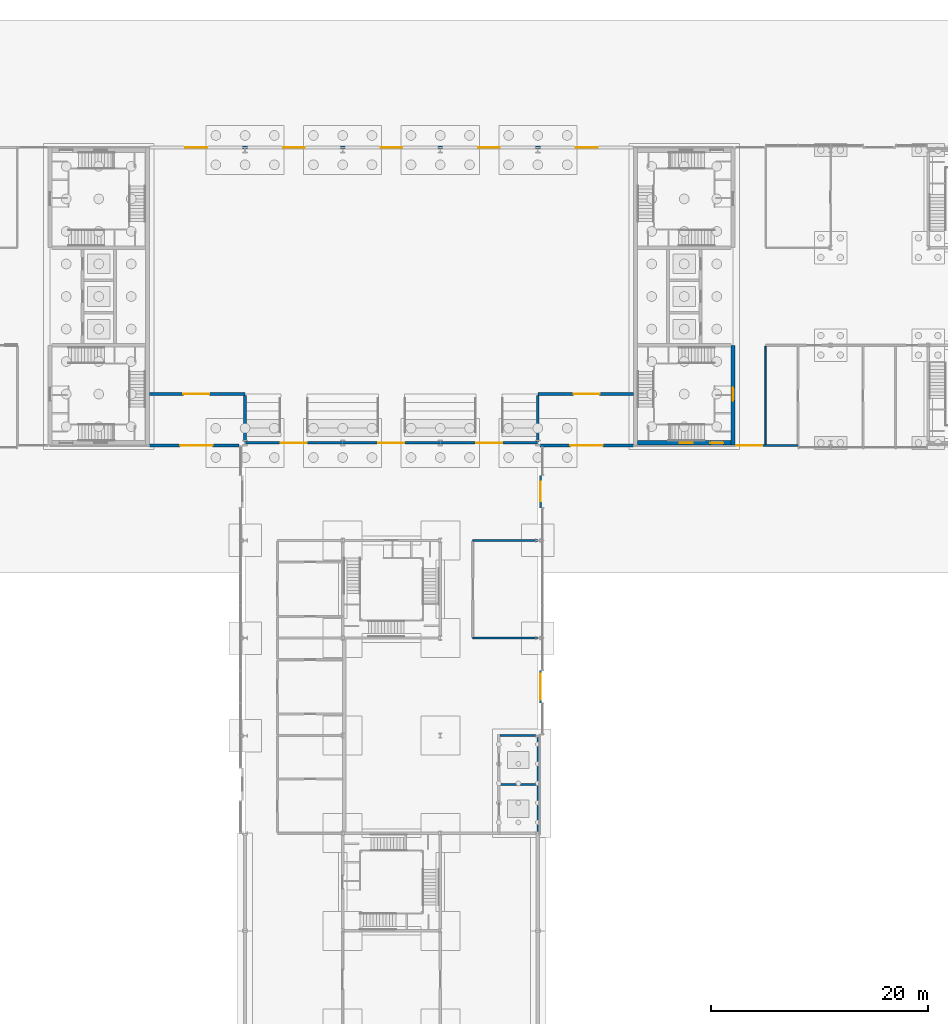
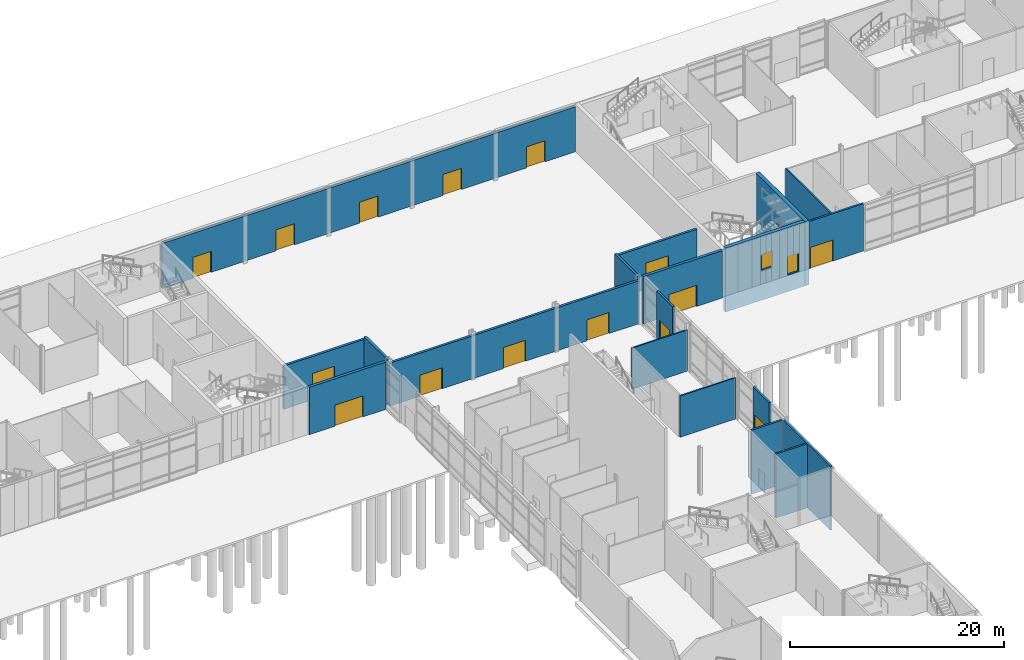
# One storey, part 30 of 45: 19 walls, 17 doors, 1 window, 18 openings.
"""IFC4 building model written with IfcOpenShell, lengths in metres."""

from ifc_helpers import new_model, si_unit, direction, frame, frame_2d, origin, place, context, subcontext, project, spatial, rectangle, extrude, material, layer, layer_set, type_object, element, fill, save


model = new_model("IFC4")

# Units and contexts
model_context = context("Model", 3, precision=1e-05, world=origin(), true_north=direction((0.0, 1.0)))
body_context = subcontext(model_context, "Body", "Model", "MODEL_VIEW")
ifc_project = project(units=[si_unit("LENGTHUNIT", "METRE"), si_unit("AREAUNIT", "SQUARE_METRE"), si_unit("VOLUMEUNIT", "CUBIC_METRE"), si_unit("PLANEANGLEUNIT", "RADIAN"), si_unit("MASSUNIT", "GRAM", prefix="KILO")], contexts=[model_context])

# Site, building, storey
site_placement = place(None, origin())
site = spatial("IfcSite", under=ifc_project, at=site_placement, CompositionType="ELEMENT")
building_placement = place(site_placement, origin())
building = spatial("IfcBuilding", under=site, at=building_placement, Name="Azimuth Sports and Learning Centre", CompositionType="ELEMENT")
storey_placement = place(building_placement, origin())
storey = spatial("IfcBuildingStorey", under=building, at=storey_placement, Name="L00", CompositionType="ELEMENT", Elevation=0.0)

# Wall
ifc_material_1 = material(Name="Dense masonry blockwork", Category="masonry")
ifc_layer_1 = layer(ifc_material_1, 0.199951171875)
ifc_layer_set_1 = layer_set([ifc_layer_1], Name="Dense masonry blockwork")
wall_type_1 = type_object("IfcWallType", Name="Blockwork wall 200 EI 120", PredefinedType="SOLIDWALL", material=ifc_layer_set_1)
wall_1_placement = place(storey_placement, frame((95.5, 58.5, -1.89990234375), z_axis=(0.0, 0.0, 1.0), x_axis=(1.0, 0.0, 0.0)))
element("IfcWall", 1, at=wall_1_placement, inside=storey, type_object=wall_type_1, Name="SD-STL-1-L00", PredefinedType="SOLIDWALL", context=body_context, shape_type="SweptSolid", body=[
    extrude(rectangle(XDim=3.39990234375, YDim=0.199951171875, at=frame_2d((1.699951171875, 0.0))), origin(), (0.0, 0.0, 1.0), 7.2998046875),
])

# Wall, opening, door
ifc_material_2 = material(Name="Insulated cladding wall")
ifc_layer_2 = layer(ifc_material_2, 0.199951171875)
ifc_layer_set_2 = layer_set([ifc_layer_2], Name="Insulated cladding wall")
wall_type_2 = type_object("IfcWallType", Name="Entrance wall 200", PredefinedType="SOLIDWALL", material=ifc_layer_set_2)
wall_2_placement = place(storey_placement, frame((99.25, 66.0, 0.0), z_axis=(0.0, 0.0, 1.0), x_axis=(0.0, 1.0, 0.0)))
wall_2 = element("IfcWall", 2, at=wall_2_placement, inside=storey, type_object=wall_type_2, Name="Entrance wall E-STEM-3 L00", PredefinedType="SOLIDWALL", context=body_context, shape_type="SweptSolid", body=[
    extrude(rectangle(XDim=3.0, YDim=0.199951171875, at=frame_2d((1.5, 0.0))), origin(), (0.0, 0.0, 1.0), 5.39990234375),
])
opening_1_placement = place(wall_2_placement, frame((0.300048828125, 0.0, 0.0)))
opening_1 = element("IfcOpeningElement", 3, at=opening_1_placement, cuts=wall_2, Name="Opening D00-007", PredefinedType="OPENING", context=body_context, shape_type="SweptSolid", body=[
    extrude(rectangle(XDim=2.39990234375, YDim=2.39990234375, at=frame_2d((1.199951171875, 1.199951171875))), frame((0.0, 0.11083984375, 0.0), z_axis=(0.0, -1.0, 0.0), x_axis=(1.0, 0.0, 0.0)), (0.0, 0.0, 1.0), 0.221923828125),
])
ifc_material_3 = material(Name="Aluminium and glass", Category="aluminium")
door_type_1 = type_object("IfcDoorType", Name="Exterior door double leaf 2400x2400", OperationType="DOUBLE_DOOR_DOUBLE_SWING", PredefinedType="DOOR", material=ifc_material_3)
door_1_placement = place(opening_1_placement, frame((2.39990234375, 0.0, 0.0), z_axis=(0.0, 0.0, 1.0), x_axis=(-1.0, 0.0, 0.0)))
door_1 = element("IfcDoor", 4, at=door_1_placement, inside=storey, type_object=door_type_1, Name="Exterior door D00-007", OperationType="DOUBLE_DOOR_DOUBLE_SWING", OverallHeight=2.39990234375, OverallWidth=2.39990234375, PredefinedType="DOOR", context=body_context, shape_type="SweptSolid", body=[
    extrude(rectangle(XDim=2.39990234375, YDim=2.39990234375, at=frame_2d((1.199951171875, 1.199951171875))), frame((0.0, 0.02490234375, 0.0), z_axis=(0.0, -1.0, 0.0), x_axis=(1.0, 0.0, 0.0)), (0.0, 0.0, 1.0), 0.050048828125),
])
fill(opening_1, door_1)

wall_3_placement = place(storey_placement, frame((99.25, 84.0, 0.0), z_axis=(0.0, 0.0, 1.0), x_axis=(0.0, 1.0, 0.0)))
wall_3 = element("IfcWall", 5, at=wall_3_placement, inside=storey, type_object=wall_type_2, Name="Entrance wall E-STEM-3 L00", PredefinedType="SOLIDWALL", context=body_context, shape_type="SweptSolid", body=[
    extrude(rectangle(XDim=3.0, YDim=0.199951171875, at=frame_2d((1.5, 0.0))), origin(), (0.0, 0.0, 1.0), 5.39990234375),
])
opening_2_placement = place(wall_3_placement, frame((0.60009765625, 0.0, 0.0)))
opening_2 = element("IfcOpeningElement", 6, at=opening_2_placement, cuts=wall_3, Name="Opening D00-008", PredefinedType="OPENING", context=body_context, shape_type="SweptSolid", body=[
    extrude(rectangle(XDim=1.800048828125, YDim=2.39990234375, at=frame_2d((0.89990234375, 1.199951171875))), frame((0.0, 0.11083984375, 0.0), z_axis=(0.0, -1.0, 0.0), x_axis=(1.0, 0.0, 0.0)), (0.0, 0.0, 1.0), 0.221923828125),
])
ifc_material_4 = material(Name="Aluminium and glass", Category="aluminium")
door_type_2 = type_object("IfcDoorType", Name="Exterior door double leaf 1800x2400", OperationType="DOUBLE_DOOR_DOUBLE_SWING", PredefinedType="DOOR", material=ifc_material_4)
door_2_placement = place(opening_2_placement, frame((1.800048828125, 0.0, 0.0), z_axis=(0.0, 0.0, 1.0), x_axis=(-1.0, 0.0, 0.0)))
door_2 = element("IfcDoor", 7, at=door_2_placement, inside=storey, type_object=door_type_2, Name="Exterior door D00-008", OperationType="DOUBLE_DOOR_DOUBLE_SWING", OverallHeight=2.39990234375, OverallWidth=1.800048828125, PredefinedType="DOOR", context=body_context, shape_type="SweptSolid", body=[
    extrude(rectangle(XDim=1.800048828125, YDim=2.39990234375, at=frame_2d((0.89990234375, 1.199951171875))), frame((0.0, 0.02490234375, 0.0), z_axis=(0.0, -1.0, 0.0), x_axis=(1.0, 0.0, 0.0)), (0.0, 0.0, 1.0), 0.050048828125),
])
fill(opening_2, door_2)

wall_4_placement = place(storey_placement, frame((117.199951171875, 89.75, 0.0), z_axis=(0.0, 0.0, 1.0), x_axis=(1.0, 0.0, 0.0)))
wall_4 = element("IfcWall", 8, at=wall_4_placement, inside=storey, type_object=wall_type_2, Name="Entrance wall S-WING E-1 L00", PredefinedType="SOLIDWALL", context=body_context, shape_type="SweptSolid", body=[
    extrude(rectangle(XDim=5.800048828125, YDim=0.199951171875, at=frame_2d((2.89990234375, 0.0))), origin(), (0.0, 0.0, 1.0), 5.39990234375),
])
opening_3_placement = place(wall_4_placement, frame((0.10009765625, 0.0, 0.0)))
opening_3 = element("IfcOpeningElement", 9, at=opening_3_placement, cuts=wall_4, Name="Opening D00-010", PredefinedType="OPENING", context=body_context, shape_type="SweptSolid", body=[
    extrude(rectangle(XDim=2.39990234375, YDim=2.39990234375, at=frame_2d((1.199951171875, 1.199951171875))), frame((0.0, 0.11083984375, 0.0), z_axis=(0.0, -1.0, 0.0), x_axis=(1.0, 0.0, 0.0)), (0.0, 0.0, 1.0), 0.221923828125),
])
ifc_material_5 = material(Name="Steel", Category="steel")
door_type_3 = type_object("IfcDoorType", Name="Exterior door double leaf 2400x2400 FD60", OperationType="DOUBLE_DOOR_DOUBLE_SWING", PredefinedType="DOOR", material=ifc_material_5)
door_3_placement = place(opening_3_placement, frame((2.39990234375, 0.0, 0.0), z_axis=(0.0, 0.0, 1.0), x_axis=(-1.0, 0.0, 0.0)))
door_3 = element("IfcDoor", 10, at=door_3_placement, inside=storey, type_object=door_type_3, Name="Exterior door D00-010", OperationType="DOUBLE_DOOR_DOUBLE_SWING", OverallHeight=2.39990234375, OverallWidth=2.39990234375, PredefinedType="DOOR", context=body_context, shape_type="SweptSolid", body=[
    extrude(rectangle(XDim=2.39990234375, YDim=2.39990234375, at=frame_2d((1.199951171875, 1.199951171875))), frame((0.0, 0.02490234375, 0.0), z_axis=(0.0, -1.0, 0.0), x_axis=(1.0, 0.0, 0.0)), (0.0, 0.0, 1.0), 0.050048828125),
])
fill(opening_3, door_3)

ifc_material_6 = material(Name="Insulated cladding wall")
ifc_layer_3 = layer(ifc_material_6, 0.300048828125)
ifc_layer_set_3 = layer_set([ifc_layer_3], Name="Insulated cladding wall")
wall_type_3 = type_object("IfcWallType", Name="Hall cladding wall 300", PredefinedType="SOLIDWALL", material=ifc_layer_set_3)
wall_5_placement = place(storey_placement, frame((63.199951171875, 89.760009765625, 0.0), z_axis=(0.0, 0.0, 1.0), x_axis=(1.0, 0.0, 0.0)))
wall_5 = element("IfcWall", 11, at=wall_5_placement, inside=storey, type_object=wall_type_3, Name="Hall wall S-HALL W L00", PredefinedType="SOLIDWALL", context=body_context, shape_type="SweptSolid", body=[
    extrude(rectangle(XDim=8.260009765625, YDim=0.300048828125, at=frame_2d((4.1298828125, 0.0))), origin(), (0.0, 0.0, 1.0), 5.39990234375),
])
opening_4_placement = place(wall_5_placement, frame((2.800048828125, 0.0, 0.0)))
opening_4 = element("IfcOpeningElement", 12, at=opening_4_placement, cuts=wall_5, Name="Opening D00-004", PredefinedType="OPENING", context=body_context, shape_type="SweptSolid", body=[
    extrude(rectangle(XDim=3.0, YDim=2.39990234375, at=frame_2d((1.5, 1.199951171875))), frame((0.0, 0.1611328125, 0.0), z_axis=(0.0, -1.0, 0.0), x_axis=(1.0, 0.0, 0.0)), (0.0, 0.0, 1.0), 0.322021484375),
])
ifc_material_7 = material(Name="Steel", Category="steel")
door_type_4 = type_object("IfcDoorType", Name="Exterior door roller shutter 3000x2400 FD60", OperationType="ROLLINGUP", PredefinedType="DOOR", material=ifc_material_7)
door_4_placement = place(opening_4_placement, frame((3.0, 0.0, 0.0), z_axis=(0.0, 0.0, 1.0), x_axis=(-1.0, 0.0, 0.0)))
door_4 = element("IfcDoor", 13, at=door_4_placement, inside=storey, type_object=door_type_4, Name="Exterior door D00-004", OperationType="ROLLINGUP", OverallHeight=2.39990234375, OverallWidth=3.0, PredefinedType="DOOR", context=body_context, shape_type="SweptSolid", body=[
    extrude(rectangle(XDim=3.0, YDim=2.39990234375, at=frame_2d((1.5, 1.199951171875))), frame((0.0, 0.02490234375, 0.0), z_axis=(0.0, -1.0, 0.0), x_axis=(1.0, 0.0, 0.0)), (0.0, 0.0, 1.0), 0.050048828125),
])
fill(opening_4, door_4)

wall_6_placement = place(storey_placement, frame((99.199951171875, 89.760009765625, 0.0), z_axis=(0.0, 0.0, 1.0), x_axis=(1.0, 0.0, 0.0)))
wall_6 = element("IfcWall", 14, at=wall_6_placement, inside=storey, type_object=wall_type_3, Name="Hall wall S-HALL E L00", PredefinedType="SOLIDWALL", context=body_context, shape_type="SweptSolid", body=[
    extrude(rectangle(XDim=8.60009765625, YDim=0.300048828125, at=frame_2d((4.300048828125, 0.0))), origin(), (0.0, 0.0, 1.0), 5.39990234375),
])
opening_5_placement = place(wall_6_placement, frame((2.800048828125, 0.0, 0.0)))
opening_5 = element("IfcOpeningElement", 15, at=opening_5_placement, cuts=wall_6, Name="Opening D00-009", PredefinedType="OPENING", context=body_context, shape_type="SweptSolid", body=[
    extrude(rectangle(XDim=3.0, YDim=2.39990234375, at=frame_2d((1.5, 1.199951171875))), frame((0.0, 0.1611328125, 0.0), z_axis=(0.0, -1.0, 0.0), x_axis=(1.0, 0.0, 0.0)), (0.0, 0.0, 1.0), 0.322021484375),
])
door_5_placement = place(opening_5_placement, frame((3.0, 0.0, 0.0), z_axis=(0.0, 0.0, 1.0), x_axis=(-1.0, 0.0, 0.0)))
door_5 = element("IfcDoor", 16, at=door_5_placement, inside=storey, type_object=door_type_4, Name="Exterior door D00-009", OperationType="ROLLINGUP", OverallHeight=2.39990234375, OverallWidth=3.0, PredefinedType="DOOR", context=body_context, shape_type="SweptSolid", body=[
    extrude(rectangle(XDim=3.0, YDim=2.39990234375, at=frame_2d((1.5, 1.199951171875))), frame((0.0, 0.02490234375, 0.0), z_axis=(0.0, -1.0, 0.0), x_axis=(1.0, 0.0, 0.0)), (0.0, 0.0, 1.0), 0.050048828125),
])
fill(opening_5, door_5)

# Wall, openings, doors
wall_7_placement = place(storey_placement, frame((107.800048828125, 117.239990234375, 0.0), z_axis=(0.0, 0.0, 1.0), x_axis=(-1.0, 0.0, 0.0)))
wall_7 = element("IfcWall", 17, at=wall_7_placement, inside=storey, type_object=wall_type_3, Name="Hall wall N-HALL L00", PredefinedType="SOLIDWALL", context=body_context, shape_type="SweptSolid", body=[
    extrude(rectangle(XDim=44.60009765625, YDim=0.300048828125, at=frame_2d((22.300048828125, 0.0))), origin(), (0.0, 0.0, 1.0), 5.139892578125),
])
opening_6_placement = place(wall_7_placement, frame((39.300048828125, 0.0, 0.0)))
opening_6 = element("IfcOpeningElement", 18, at=opening_6_placement, cuts=wall_7, Name="Opening D00-016", PredefinedType="OPENING", context=body_context, shape_type="SweptSolid", body=[
    extrude(rectangle(XDim=2.0, YDim=2.39990234375, at=frame_2d((1.0, 1.199951171875))), frame((0.0, 0.1611328125, 0.0), z_axis=(0.0, -1.0, 0.0), x_axis=(1.0, 0.0, 0.0)), (0.0, 0.0, 1.0), 0.322021484375),
])
opening_7_placement = place(wall_7_placement, frame((30.300048828125, 0.0, 0.0)))
opening_7 = element("IfcOpeningElement", 19, at=opening_7_placement, cuts=wall_7, Name="Opening D00-017", PredefinedType="OPENING", context=body_context, shape_type="SweptSolid", body=[
    extrude(rectangle(XDim=2.0, YDim=2.39990234375, at=frame_2d((1.0, 1.199951171875))), frame((0.0, 0.1611328125, 0.0), z_axis=(0.0, -1.0, 0.0), x_axis=(1.0, 0.0, 0.0)), (0.0, 0.0, 1.0), 0.322021484375),
])
opening_8_placement = place(wall_7_placement, frame((21.300048828125, 0.0, 0.0)))
opening_8 = element("IfcOpeningElement", 20, at=opening_8_placement, cuts=wall_7, Name="Opening D00-018", PredefinedType="OPENING", context=body_context, shape_type="SweptSolid", body=[
    extrude(rectangle(XDim=2.0, YDim=2.39990234375, at=frame_2d((1.0, 1.199951171875))), frame((0.0, 0.1611328125, 0.0), z_axis=(0.0, -1.0, 0.0), x_axis=(1.0, 0.0, 0.0)), (0.0, 0.0, 1.0), 0.322021484375),
])
opening_9_placement = place(wall_7_placement, frame((12.300048828125, 0.0, 0.0)))
opening_9 = element("IfcOpeningElement", 21, at=opening_9_placement, cuts=wall_7, Name="Opening D00-019", PredefinedType="OPENING", context=body_context, shape_type="SweptSolid", body=[
    extrude(rectangle(XDim=2.0, YDim=2.39990234375, at=frame_2d((1.0, 1.199951171875))), frame((0.0, 0.1611328125, 0.0), z_axis=(0.0, -1.0, 0.0), x_axis=(1.0, 0.0, 0.0)), (0.0, 0.0, 1.0), 0.322021484375),
])
opening_10_placement = place(wall_7_placement, frame((3.300048828125, 0.0, 0.0)))
opening_10 = element("IfcOpeningElement", 22, at=opening_10_placement, cuts=wall_7, Name="Opening D00-020", PredefinedType="OPENING", context=body_context, shape_type="SweptSolid", body=[
    extrude(rectangle(XDim=2.0, YDim=2.39990234375, at=frame_2d((1.0, 1.199951171875))), frame((0.0, 0.1611328125, 0.0), z_axis=(0.0, -1.0, 0.0), x_axis=(1.0, 0.0, 0.0)), (0.0, 0.0, 1.0), 0.322021484375),
])
ifc_material_8 = material(Name="Steel", Category="steel")
door_type_5 = type_object("IfcDoorType", Name="Exterior door double leaf 2000x2400 FD60", OperationType="DOUBLE_DOOR_DOUBLE_SWING", PredefinedType="DOOR", material=ifc_material_8)
door_6_placement = place(opening_6_placement, frame((2.0, 0.0, 0.0), z_axis=(0.0, 0.0, 1.0), x_axis=(-1.0, 0.0, 0.0)))
door_6 = element("IfcDoor", 23, at=door_6_placement, inside=storey, type_object=door_type_5, Name="Exterior door D00-016", OperationType="DOUBLE_DOOR_DOUBLE_SWING", OverallHeight=2.39990234375, OverallWidth=2.0, PredefinedType="DOOR", context=body_context, shape_type="SweptSolid", body=[
    extrude(rectangle(XDim=2.0, YDim=2.39990234375, at=frame_2d((1.0, 1.199951171875))), frame((0.0, 0.02490234375, 0.0), z_axis=(0.0, -1.0, 0.0), x_axis=(1.0, 0.0, 0.0)), (0.0, 0.0, 1.0), 0.050048828125),
])
fill(opening_6, door_6)
door_7_placement = place(opening_7_placement, frame((2.0, 0.0, 0.0), z_axis=(0.0, 0.0, 1.0), x_axis=(-1.0, 0.0, 0.0)))
door_7 = element("IfcDoor", 24, at=door_7_placement, inside=storey, type_object=door_type_5, Name="Exterior door D00-017", OperationType="DOUBLE_DOOR_DOUBLE_SWING", OverallHeight=2.39990234375, OverallWidth=2.0, PredefinedType="DOOR", context=body_context, shape_type="SweptSolid", body=[
    extrude(rectangle(XDim=2.0, YDim=2.39990234375, at=frame_2d((1.0, 1.199951171875))), frame((0.0, 0.02490234375, 0.0), z_axis=(0.0, -1.0, 0.0), x_axis=(1.0, 0.0, 0.0)), (0.0, 0.0, 1.0), 0.050048828125),
])
fill(opening_7, door_7)
door_8_placement = place(opening_8_placement, frame((2.0, 0.0, 0.0), z_axis=(0.0, 0.0, 1.0), x_axis=(-1.0, 0.0, 0.0)))
door_8 = element("IfcDoor", 25, at=door_8_placement, inside=storey, type_object=door_type_5, Name="Exterior door D00-018", OperationType="DOUBLE_DOOR_DOUBLE_SWING", OverallHeight=2.39990234375, OverallWidth=2.0, PredefinedType="DOOR", context=body_context, shape_type="SweptSolid", body=[
    extrude(rectangle(XDim=2.0, YDim=2.39990234375, at=frame_2d((1.0, 1.199951171875))), frame((0.0, 0.02490234375, 0.0), z_axis=(0.0, -1.0, 0.0), x_axis=(1.0, 0.0, 0.0)), (0.0, 0.0, 1.0), 0.050048828125),
])
fill(opening_8, door_8)
door_9_placement = place(opening_9_placement, frame((2.0, 0.0, 0.0), z_axis=(0.0, 0.0, 1.0), x_axis=(-1.0, 0.0, 0.0)))
door_9 = element("IfcDoor", 26, at=door_9_placement, inside=storey, type_object=door_type_5, Name="Exterior door D00-019", OperationType="DOUBLE_DOOR_DOUBLE_SWING", OverallHeight=2.39990234375, OverallWidth=2.0, PredefinedType="DOOR", context=body_context, shape_type="SweptSolid", body=[
    extrude(rectangle(XDim=2.0, YDim=2.39990234375, at=frame_2d((1.0, 1.199951171875))), frame((0.0, 0.02490234375, 0.0), z_axis=(0.0, -1.0, 0.0), x_axis=(1.0, 0.0, 0.0)), (0.0, 0.0, 1.0), 0.050048828125),
])
fill(opening_9, door_9)
door_10_placement = place(opening_10_placement, frame((2.0, 0.0, 0.0), z_axis=(0.0, 0.0, 1.0), x_axis=(-1.0, 0.0, 0.0)))
door_10 = element("IfcDoor", 27, at=door_10_placement, inside=storey, type_object=door_type_5, Name="Exterior door D00-020", OperationType="DOUBLE_DOOR_DOUBLE_SWING", OverallHeight=2.39990234375, OverallWidth=2.0, PredefinedType="DOOR", context=body_context, shape_type="SweptSolid", body=[
    extrude(rectangle(XDim=2.0, YDim=2.39990234375, at=frame_2d((1.0, 1.199951171875))), frame((0.0, 0.02490234375, 0.0), z_axis=(0.0, -1.0, 0.0), x_axis=(1.0, 0.0, 0.0)), (0.0, 0.0, 1.0), 0.050048828125),
])
fill(opening_10, door_10)

ifc_material_9 = material(Name="Reinforced masonry blockwork", Category="masonry")
ifc_layer_4 = layer(ifc_material_9, 0.25)
ifc_layer_set_4 = layer_set([ifc_layer_4], Name="Reinforced masonry blockwork")
wall_type_4 = type_object("IfcWallType", Name="Hall wall 250 EI 60", PredefinedType="SOLIDWALL", material=ifc_layer_set_4)
wall_8_placement = place(storey_placement, frame((72.0, 90.0, 0.0), z_axis=(0.0, 0.0, 1.0), x_axis=(1.0, 0.0, 0.0)))
wall_8 = element("IfcWall", 28, at=wall_8_placement, inside=storey, type_object=wall_type_4, Name="Hall wall 250 EI 60", PredefinedType="SOLIDWALL", context=body_context, shape_type="SweptSolid", body=[
    extrude(rectangle(XDim=27.0, YDim=0.25, at=frame_2d((13.5, 0.0))), origin(), (0.0, 0.0, 1.0), 4.89990234375),
])
opening_11_placement = place(wall_8_placement, frame((3.300048828125, 0.0, 0.0)))
opening_11 = element("IfcOpeningElement", 29, at=opening_11_placement, cuts=wall_8, Name="Opening D00-103", PredefinedType="OPENING", context=body_context, shape_type="SweptSolid", body=[
    extrude(rectangle(XDim=2.39990234375, YDim=2.39990234375, at=frame_2d((1.199951171875, 1.199951171875))), frame((0.0, 0.135986328125, 0.0), z_axis=(0.0, -1.0, 0.0), x_axis=(1.0, 0.0, 0.0)), (0.0, 0.0, 1.0), 0.27197265625),
])
opening_12_placement = place(wall_8_placement, frame((12.300048828125, 0.0, 0.0)))
opening_12 = element("IfcOpeningElement", 30, at=opening_12_placement, cuts=wall_8, Name="Opening D00-104", PredefinedType="OPENING", context=body_context, shape_type="SweptSolid", body=[
    extrude(rectangle(XDim=2.39990234375, YDim=2.39990234375, at=frame_2d((1.199951171875, 1.199951171875))), frame((0.0, 0.135986328125, 0.0), z_axis=(0.0, -1.0, 0.0), x_axis=(1.0, 0.0, 0.0)), (0.0, 0.0, 1.0), 0.27197265625),
])
opening_13_placement = place(wall_8_placement, frame((21.300048828125, 0.0, 0.0)))
opening_13 = element("IfcOpeningElement", 31, at=opening_13_placement, cuts=wall_8, Name="Opening D00-105", PredefinedType="OPENING", context=body_context, shape_type="SweptSolid", body=[
    extrude(rectangle(XDim=2.39990234375, YDim=2.39990234375, at=frame_2d((1.199951171875, 1.199951171875))), frame((0.0, 0.135986328125, 0.0), z_axis=(0.0, -1.0, 0.0), x_axis=(1.0, 0.0, 0.0)), (0.0, 0.0, 1.0), 0.27197265625),
])
ifc_material_10 = material(Name="Steel fire door set", Category="steel")
door_type_6 = type_object("IfcDoorType", Name="Steel door double 2400x2400 FD60", OperationType="DOUBLE_DOOR_SINGLE_SWING", PredefinedType="DOOR", material=ifc_material_10)
door_11_placement = place(opening_11_placement, frame((2.39990234375, 0.0, 0.0), z_axis=(0.0, 0.0, 1.0), x_axis=(-1.0, 0.0, 0.0)))
door_11 = element("IfcDoor", 32, at=door_11_placement, inside=storey, type_object=door_type_6, Name="Door D00-103", OperationType="DOUBLE_DOOR_SINGLE_SWING", OverallHeight=2.39990234375, OverallWidth=2.39990234375, PredefinedType="DOOR", context=body_context, shape_type="SweptSolid", body=[
    extrude(rectangle(XDim=2.39990234375, YDim=2.39990234375, at=frame_2d((1.199951171875, 1.199951171875))), frame((0.0, 0.02490234375, 0.0), z_axis=(0.0, -1.0, 0.0), x_axis=(1.0, 0.0, 0.0)), (0.0, 0.0, 1.0), 0.050048828125),
])
fill(opening_11, door_11)
door_12_placement = place(opening_12_placement, frame((2.39990234375, 0.0, 0.0), z_axis=(0.0, 0.0, 1.0), x_axis=(-1.0, 0.0, 0.0)))
door_12 = element("IfcDoor", 33, at=door_12_placement, inside=storey, type_object=door_type_6, Name="Door D00-104", OperationType="DOUBLE_DOOR_SINGLE_SWING", OverallHeight=2.39990234375, OverallWidth=2.39990234375, PredefinedType="DOOR", context=body_context, shape_type="SweptSolid", body=[
    extrude(rectangle(XDim=2.39990234375, YDim=2.39990234375, at=frame_2d((1.199951171875, 1.199951171875))), frame((0.0, 0.02490234375, 0.0), z_axis=(0.0, -1.0, 0.0), x_axis=(1.0, 0.0, 0.0)), (0.0, 0.0, 1.0), 0.050048828125),
])
fill(opening_12, door_12)
door_13_placement = place(opening_13_placement, frame((2.39990234375, 0.0, 0.0), z_axis=(0.0, 0.0, 1.0), x_axis=(-1.0, 0.0, 0.0)))
door_13 = element("IfcDoor", 34, at=door_13_placement, inside=storey, type_object=door_type_6, Name="Door D00-105", OperationType="DOUBLE_DOOR_SINGLE_SWING", OverallHeight=2.39990234375, OverallWidth=2.39990234375, PredefinedType="DOOR", context=body_context, shape_type="SweptSolid", body=[
    extrude(rectangle(XDim=2.39990234375, YDim=2.39990234375, at=frame_2d((1.199951171875, 1.199951171875))), frame((0.0, 0.02490234375, 0.0), z_axis=(0.0, -1.0, 0.0), x_axis=(1.0, 0.0, 0.0)), (0.0, 0.0, 1.0), 0.050048828125),
])
fill(opening_13, door_13)

# Wall, opening, door
wall_9_placement = place(storey_placement, frame((63.199951171875, 94.5, 0.0), z_axis=(0.0, 0.0, 1.0), x_axis=(1.0, 0.0, 0.0)))
wall_9 = element("IfcWall", 35, at=wall_9_placement, inside=storey, type_object=wall_type_4, Name="Hall wall 250 EI 60", PredefinedType="SOLIDWALL", context=body_context, shape_type="SweptSolid", body=[
    extrude(rectangle(XDim=8.800048828125, YDim=0.25, at=frame_2d((4.39990234375, 0.0))), origin(), (0.0, 0.0, 1.0), 4.949951171875),
])
opening_14_placement = place(wall_9_placement, frame((3.10009765625, 0.0, 0.0)))
opening_14 = element("IfcOpeningElement", 36, at=opening_14_placement, cuts=wall_9, Name="Opening D00-109", PredefinedType="OPENING", context=body_context, shape_type="SweptSolid", body=[
    extrude(rectangle(XDim=2.39990234375, YDim=3.0, at=frame_2d((1.199951171875, 1.5))), frame((0.0, 0.135986328125, 0.0), z_axis=(0.0, -1.0, 0.0), x_axis=(1.0, 0.0, 0.0)), (0.0, 0.0, 1.0), 0.27197265625),
])
ifc_material_11 = material(Name="Timber fire door set", Category="wood")
door_type_7 = type_object("IfcDoorType", Name="Timber door double 2400x3000 FD60", OperationType="DOUBLE_DOOR_SINGLE_SWING", PredefinedType="DOOR", material=ifc_material_11)
door_14_placement = place(opening_14_placement, frame((2.39990234375, 0.0, 0.0), z_axis=(0.0, 0.0, 1.0), x_axis=(-1.0, 0.0, 0.0)))
door_14 = element("IfcDoor", 37, at=door_14_placement, inside=storey, type_object=door_type_7, Name="Door D00-109", OperationType="DOUBLE_DOOR_SINGLE_SWING", OverallHeight=3.0, OverallWidth=2.39990234375, PredefinedType="DOOR", context=body_context, shape_type="SweptSolid", body=[
    extrude(rectangle(XDim=2.39990234375, YDim=3.0, at=frame_2d((1.199951171875, 1.5))), frame((0.0, 0.02490234375, 0.0), z_axis=(0.0, -1.0, 0.0), x_axis=(1.0, 0.0, 0.0)), (0.0, 0.0, 1.0), 0.050048828125),
])
fill(opening_14, door_14)

wall_10_placement = place(storey_placement, frame((99.0, 94.5, 0.0), z_axis=(0.0, 0.0, 1.0), x_axis=(1.0, 0.0, 0.0)))
wall_10 = element("IfcWall", 38, at=wall_10_placement, inside=storey, type_object=wall_type_4, Name="Hall wall 250 EI 60", PredefinedType="SOLIDWALL", context=body_context, shape_type="SweptSolid", body=[
    extrude(rectangle(XDim=8.800048828125, YDim=0.25, at=frame_2d((4.39990234375, 0.0))), origin(), (0.0, 0.0, 1.0), 4.949951171875),
])
opening_15_placement = place(wall_10_placement, frame((3.300048828125, 0.0, 0.0)))
opening_15 = element("IfcOpeningElement", 39, at=opening_15_placement, cuts=wall_10, Name="Opening D00-110", PredefinedType="OPENING", context=body_context, shape_type="SweptSolid", body=[
    extrude(rectangle(XDim=2.39990234375, YDim=3.0, at=frame_2d((1.199951171875, 1.5))), frame((0.0, 0.135986328125, 0.0), z_axis=(0.0, -1.0, 0.0), x_axis=(1.0, 0.0, 0.0)), (0.0, 0.0, 1.0), 0.27197265625),
])
door_15_placement = place(opening_15_placement, frame((2.39990234375, 0.0, 0.0), z_axis=(0.0, 0.0, 1.0), x_axis=(-1.0, 0.0, 0.0)))
door_15 = element("IfcDoor", 40, at=door_15_placement, inside=storey, type_object=door_type_7, Name="Door D00-110", OperationType="DOUBLE_DOOR_SINGLE_SWING", OverallHeight=3.0, OverallWidth=2.39990234375, PredefinedType="DOOR", context=body_context, shape_type="SweptSolid", body=[
    extrude(rectangle(XDim=2.39990234375, YDim=3.0, at=frame_2d((1.199951171875, 1.5))), frame((0.0, 0.02490234375, 0.0), z_axis=(0.0, -1.0, 0.0), x_axis=(1.0, 0.0, 0.0)), (0.0, 0.0, 1.0), 0.050048828125),
])
fill(opening_15, door_15)

# Walls
for number, where, z_axis, x_axis, name in (
    (41, (72.0, 90.125, 0.0), (0.0, 0.0, 1.0), (0.0, 1.0, 0.0), "Hall wall 250 EI 60"),
    (42, (99.0, 90.125, 0.0), (0.0, 0.0, 1.0), (0.0, 1.0, 0.0), "Hall wall 250 EI 60"),
):
    element("IfcWall", number, at=place(storey_placement, frame(where, z_axis=z_axis, x_axis=x_axis)), inside=storey, type_object=wall_type_4, Name=name, PredefinedType="SOLIDWALL", context=body_context, shape_type="SweptSolid", body=[
        extrude(rectangle(XDim=4.25, YDim=0.25, at=frame_2d((2.125, 0.0))), origin(), (0.0, 0.0, 1.0), 5.25),
    ])
ifc_material_12 = material(Name="Lightweight blockwork, rendered", Category="masonry")
ifc_layer_5 = layer(ifc_material_12, 0.14990234375)
ifc_layer_set_5 = layer_set([ifc_layer_5], Name="Lightweight blockwork, rendered")
wall_type_5 = type_object("IfcWallType", Name="Partition 150 EI 60", PredefinedType="PARTITIONING", material=ifc_layer_set_5)
for number, where, z_axis, x_axis, name in (
    (43, (93.0, 72.0, 0.0), (0.0, 0.0, 1.0), (1.0, 0.0, 0.0), "Partition 150 EI 60"),
    (44, (93.0, 81.0, 0.0), (0.0, 0.0, 1.0), (1.0, 0.0, 0.0), "Partition 150 EI 60"),
):
    element("IfcWall", number, at=place(storey_placement, frame(where, z_axis=z_axis, x_axis=x_axis)), inside=storey, type_object=wall_type_5, Name=name, PredefinedType="PARTITIONING", context=body_context, shape_type="SweptSolid", body=[
        extrude(rectangle(XDim=6.0, YDim=0.14990234375, at=frame_2d((3.0, 0.0))), origin(), (0.0, 0.0, 1.0), 4.699951171875),
    ])
wall_11_placement = place(storey_placement, frame((120.0, 89.699951171875, 0.0), z_axis=(0.0, 0.0, 1.0), x_axis=(0.0, 1.0, 0.0)))
element("IfcWall", 45, at=wall_11_placement, inside=storey, type_object=wall_type_5, Name="Partition 150 EI 60", PredefinedType="PARTITIONING", context=body_context, shape_type="SweptSolid", body=[
    extrude(rectangle(XDim=9.22509765625, YDim=0.14990234375, at=frame_2d((4.612548828125, 0.0))), origin(), (0.0, 0.0, 1.0), 4.889892578125),
])
ifc_material_13 = material(Name="Concrete C40/50", Category="concrete")
ifc_layer_6 = layer(ifc_material_13, 0.199951171875)
ifc_layer_set_6 = layer_set([ifc_layer_6], Name="Concrete C40/50")
wall_type_6 = type_object("IfcWallType", Name="RC cell wall 200 EI 120", PredefinedType="SHEAR", material=ifc_layer_set_6)
wall_12_placement = place(storey_placement, frame((95.5, 63.0, -1.89990234375), z_axis=(0.0, 0.0, 1.0), x_axis=(1.0, 0.0, 0.0)))
element("IfcWall", 46, at=wall_12_placement, inside=storey, type_object=wall_type_6, Name="CE-STL-N-L00", PredefinedType="SHEAR", context=body_context, shape_type="SweptSolid", body=[
    extrude(rectangle(XDim=3.300048828125, YDim=0.199951171875, at=frame_2d((1.64990234375, 0.0))), origin(), (0.0, 0.0, 1.0), 7.2998046875),
])

# Wall, opening, door
ifc_material_14 = material(Name="Concrete C40/50", Category="concrete")
ifc_layer_7 = layer(ifc_material_14, 0.39990234375)
ifc_layer_set_7 = layer_set([ifc_layer_7], Name="Concrete C40/50")
wall_type_7 = type_object("IfcWallType", Name="RC core wall 400", PredefinedType="SHEAR", material=ifc_layer_set_7)
wall_13_placement = place(storey_placement, frame((117.0, 89.800048828125, -1.89990234375), z_axis=(0.0, 0.0, 1.0), x_axis=(0.0, 1.0, 0.0)))
wall_13 = element("IfcWall", 47, at=wall_13_placement, inside=storey, type_object=wall_type_7, Name="Core wall E ES L00", PredefinedType="SHEAR", context=body_context, shape_type="SweptSolid", body=[
    extrude(rectangle(XDim=9.199951171875, YDim=0.39990234375, at=frame_2d((4.60009765625, 0.0))), origin(), (0.0, 0.0, 1.0), 7.2998046875),
])
opening_16_placement = place(wall_13_placement, frame((4.10009765625, 0.0, 1.89990234375)))
opening_16 = element("IfcOpeningElement", 48, at=opening_16_placement, cuts=wall_13, Name="Opening D00-028", PredefinedType="OPENING", context=body_context, shape_type="SweptSolid", body=[
    extrude(rectangle(XDim=1.199951171875, YDim=2.10009765625, at=frame_2d((0.60009765625, 1.050048828125))), frame((0.0, 0.2109375, 0.0), z_axis=(0.0, -1.0, 0.0), x_axis=(1.0, 0.0, 0.0)), (0.0, 0.0, 1.0), 0.421875),
])
ifc_material_15 = material(Name="Steel", Category="steel")
door_type_8 = type_object("IfcDoorType", Name="Stair fire door 1200 x 2100", OperationType="NOTDEFINED", PredefinedType="DOOR", material=ifc_material_15)
door_16_placement = place(opening_16_placement, frame((1.199951171875, 0.0, 0.0), z_axis=(0.0, 0.0, 1.0), x_axis=(-1.0, 0.0, 0.0)))
door_16 = element("IfcDoor", 49, at=door_16_placement, inside=storey, type_object=door_type_8, Name="Stair door E1 L00", OperationType="SINGLE_SWING_LEFT", OverallHeight=2.10009765625, OverallWidth=1.199951171875, PredefinedType="DOOR", context=body_context, shape_type="SweptSolid", body=[
    extrude(rectangle(XDim=1.199951171875, YDim=2.10009765625, at=frame_2d((0.60009765625, 1.050048828125))), frame((0.0, 0.02490234375, 0.0), z_axis=(0.0, -1.0, 0.0), x_axis=(1.0, 0.0, 0.0)), (0.0, 0.0, 1.0), 0.050048828125),
])
fill(opening_16, door_16)

# Wall
ifc_material_16 = material(Name="Concrete C40/50", Category="concrete")
ifc_layer_8 = layer(ifc_material_16, 0.199951171875)
ifc_layer_set_8 = layer_set([ifc_layer_8], Name="Concrete C40/50")
wall_type_8 = type_object("IfcWallType", Name="RC external cell wall 200 EI 120", PredefinedType="SHEAR", material=ifc_layer_set_8)
wall_14_placement = place(storey_placement, frame((99.0, 54.14990234375, -1.89990234375), z_axis=(0.0, 0.0, 1.0), x_axis=(0.0, 1.0, 0.0)))
element("IfcWall", 50, at=wall_14_placement, inside=storey, type_object=wall_type_8, Name="CE-STL-E-L00", PredefinedType="SHEAR", context=body_context, shape_type="SweptSolid", body=[
    extrude(rectangle(XDim=8.7001953125, YDim=0.199951171875, at=frame_2d((4.35009765625, 0.0))), origin(), (0.0, 0.0, 1.0), 7.2998046875),
])

# Wall, openings, door, window
ifc_material_17 = material(Name="Concrete C40/50", Category="concrete")
ifc_layer_9 = layer(ifc_material_17, 0.39990234375)
ifc_layer_set_9 = layer_set([ifc_layer_9], Name="Concrete C40/50")
wall_type_9 = type_object("IfcWallType", Name="RC external core wall 400", PredefinedType="SHEAR", material=ifc_layer_set_9)
wall_15_placement = place(storey_placement, frame((108.199951171875, 90.0, -1.89990234375), z_axis=(0.0, 0.0, 1.0), x_axis=(1.0, 0.0, 0.0)))
wall_15 = element("IfcWall", 51, at=wall_15_placement, inside=storey, type_object=wall_type_9, Name="Core wall E S L00", PredefinedType="SHEAR", context=body_context, shape_type="SweptSolid", body=[
    extrude(rectangle(XDim=8.60009765625, YDim=0.39990234375, at=frame_2d((4.300048828125, 0.0))), origin(), (0.0, 0.0, 1.0), 7.2998046875),
])
opening_17_placement = place(wall_15_placement, frame((3.89990234375, 0.0, 3.39990234375)))
opening_17 = element("IfcOpeningElement", 52, at=opening_17_placement, cuts=wall_15, Name="Opening W00-003", PredefinedType="OPENING", context=body_context, shape_type="SweptSolid", body=[
    extrude(rectangle(XDim=1.199951171875, YDim=1.800048828125, at=frame_2d((0.60009765625, 0.89990234375))), frame((0.0, 0.2109375, 0.0), z_axis=(0.0, -1.0, 0.0), x_axis=(1.0, 0.0, 0.0)), (0.0, 0.0, 1.0), 0.421875),
])
opening_18_placement = place(wall_15_placement, frame((6.699951171875, 0.0, 1.89990234375)))
opening_18 = element("IfcOpeningElement", 53, at=opening_18_placement, cuts=wall_15, Name="Opening D00-029", PredefinedType="OPENING", context=body_context, shape_type="SweptSolid", body=[
    extrude(rectangle(XDim=1.199951171875, YDim=2.10009765625, at=frame_2d((0.60009765625, 1.050048828125))), frame((0.0, 0.2109375, 0.0), z_axis=(0.0, -1.0, 0.0), x_axis=(1.0, 0.0, 0.0)), (0.0, 0.0, 1.0), 0.421875),
])
door_17_placement = place(opening_18_placement, frame((1.199951171875, 0.0, 0.0), z_axis=(0.0, 0.0, 1.0), x_axis=(-1.0, 0.0, 0.0)))
door_17 = element("IfcDoor", 54, at=door_17_placement, inside=storey, type_object=door_type_8, Name="Stair door E1 L00 exit", OperationType="SINGLE_SWING_LEFT", OverallHeight=2.10009765625, OverallWidth=1.199951171875, PredefinedType="DOOR", context=body_context, shape_type="SweptSolid", body=[
    extrude(rectangle(XDim=1.199951171875, YDim=2.10009765625, at=frame_2d((0.60009765625, 1.050048828125))), frame((0.0, 0.02490234375, 0.0), z_axis=(0.0, -1.0, 0.0), x_axis=(1.0, 0.0, 0.0)), (0.0, 0.0, 1.0), 0.050048828125),
])
fill(opening_18, door_17)
ifc_material_18 = material(Name="Aluminium and glass", Category="aluminium")
window_type = type_object("IfcWindowType", Name="Stair window podium core 1200x1800", PartitioningType="SINGLE_PANEL", PredefinedType="WINDOW", material=ifc_material_18)
window_placement = place(opening_17_placement, origin())
window = element("IfcWindow", 55, at=window_placement, inside=storey, type_object=window_type, Name="Window W00-003", OverallHeight=1.800048828125, OverallWidth=1.199951171875, PartitioningType="SINGLE_PANEL", PredefinedType="WINDOW", context=body_context, shape_type="SweptSolid", body=[
    extrude(rectangle(XDim=1.199951171875, YDim=1.800048828125, at=frame_2d((0.60009765625, 0.89990234375))), frame((0.0, 0.030029296875, 0.0), z_axis=(0.0, -1.0, 0.0), x_axis=(1.0, 0.0, 0.0)), (0.0, 0.0, 1.0), 0.06005859375),
])
fill(opening_17, window)

save(model, "model.ifc")
